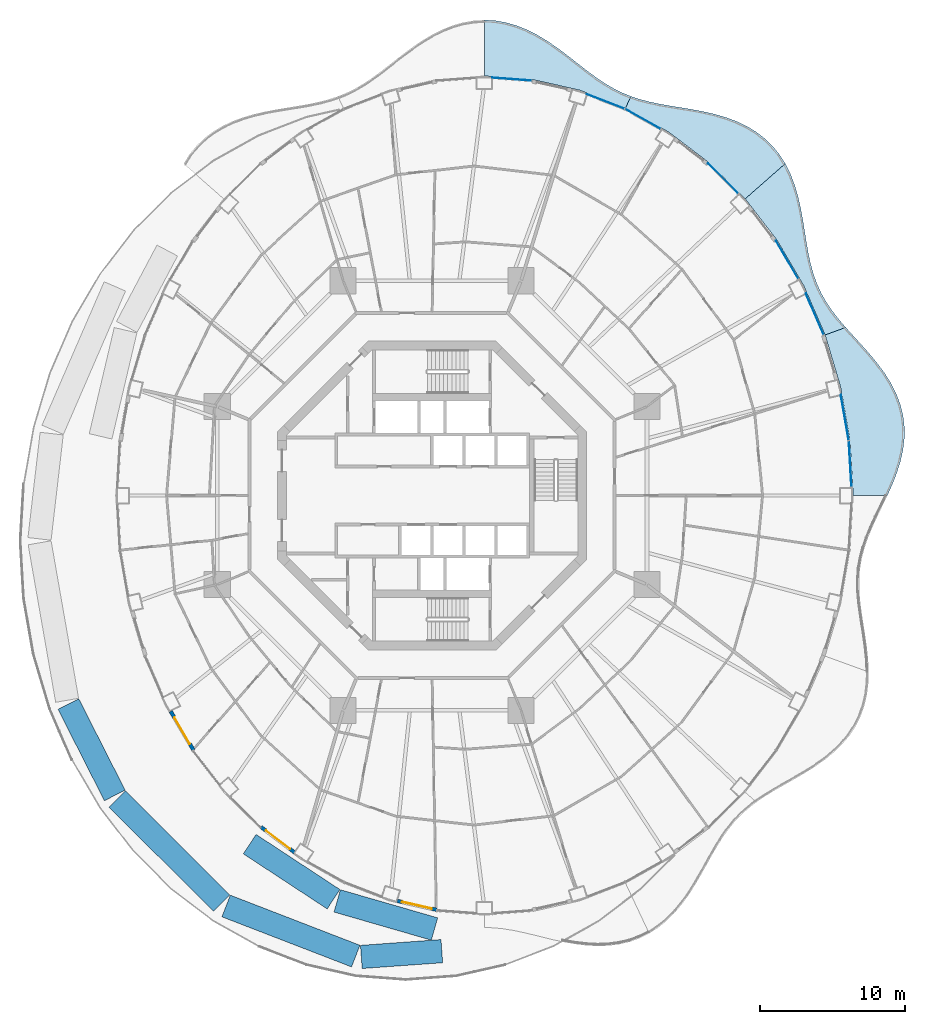
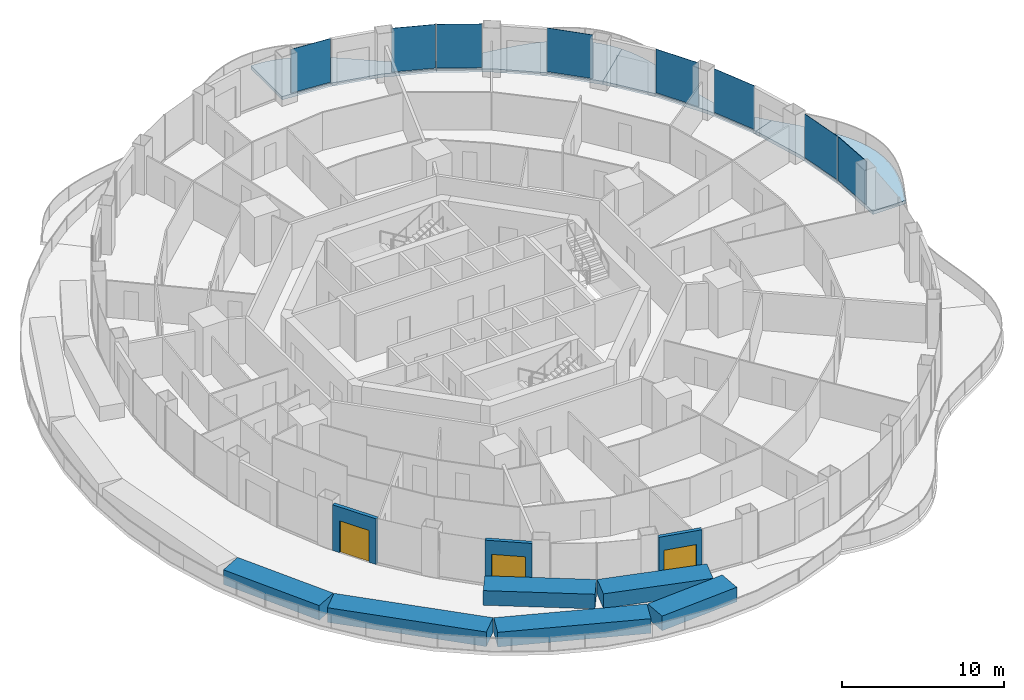
# One storey, part 11 of 20: 9 walls, 8 plates, 4 slabs, 3 doors, 3 openings, 8 elements without a shape of their own.
"""IFC4 building model written with IfcOpenShell, lengths in metres."""

from ifc_helpers import new_model, si_unit, direction, frame, frame_2d, origin, origin_2d, place, context, subcontext, project, spatial, polyline, rectangle, outline, extrude, material, layer, layer_set, type_object, element, fill, aggregate, save


model = new_model("IFC4")

# Units and contexts
model_context = context("Model", 3, precision=1e-05, world=origin(), true_north=direction((0.0, 1.0)))
body_context = subcontext(model_context, "Body", "Model", "MODEL_VIEW")
ifc_project = project(units=[si_unit("LENGTHUNIT", "METRE"), si_unit("AREAUNIT", "SQUARE_METRE"), si_unit("VOLUMEUNIT", "CUBIC_METRE"), si_unit("PLANEANGLEUNIT", "RADIAN"), si_unit("MASSUNIT", "GRAM", prefix="KILO")], contexts=[model_context])

# Site, building, storey
site_placement = place(None, origin())
site = spatial("IfcSite", under=ifc_project, at=site_placement, CompositionType="ELEMENT")
building_placement = place(site_placement, origin())
building = spatial("IfcBuilding", under=site, at=building_placement, Name="Nagisa Residences", CompositionType="ELEMENT")
storey_placement = place(building_placement, frame((0.0, 0.0, 165.89990234375)))
storey = spatial("IfcBuildingStorey", under=building, at=storey_placement, Name="L41", CompositionType="ELEMENT", Elevation=165.89990234375)

# Slabs
ifc_material_1 = material(Name="Concrete C40/50", Category="concrete")
ifc_layer_1 = layer(ifc_material_1, 0.25)
ifc_layer_set_1 = layer_set([ifc_layer_1], Name="BALCONY SLAB 250")
slab_type = type_object("IfcSlabType", Name="BALCONY SLAB 250", PredefinedType="FLOOR", material=ifc_layer_set_1)
slab_1_placement = place(storey_placement, frame((0.0, 0.0, -0.25)))
element("IfcSlab", 1, at=slab_1_placement, inside=storey, type_object=slab_type, Name="slab:L41:bal00", PredefinedType="FLOOR", context=body_context, shape_type="SweptSolid", body=[
    extrude(outline(polyline([(31.324951171875, 0.0), (31.6640625, 0.762451171875), (31.967529296875, 1.53857421875), (32.21728515625, 2.325927734375), (32.397216796875, 3.1201171875), (32.494384765625, 3.916259765625), (32.499755859375, 4.708740234375), (32.408203125, 5.4912109375), (32.219482421875, 6.25830078125), (31.93798828125, 7.0048828125), (31.572265625, 7.7275390625), (31.134765625, 8.423828125), (30.640625, 9.09375), (30.10791015625, 9.738525390625), (29.5546875, 10.36181640625), (29.0, 10.96875), (28.461181640625, 11.566162109375), (27.04345703125, 11.050048828125), (28.1103515625, 7.473388671875), (28.7578125, 3.76904296875), (28.97509765625, 0.0), (31.324951171875, 0.0)])), origin(), (0.0, 0.0, 1.0), 0.25),
])
slab_2_placement = place(storey_placement, frame((0.0, 0.0, -0.25)))
element("IfcSlab", 2, at=slab_2_placement, inside=storey, type_object=slab_type, Name="slab:L41:bal01", PredefinedType="FLOOR", context=body_context, shape_type="SweptSolid", body=[
    extrude(outline(polyline([(28.461181640625, 11.566162109375), (27.96923828125, 12.142822265625), (27.5185546875, 12.72509765625), (27.1171875, 13.31982421875), (26.7705078125, 13.93408203125), (26.478759765625, 14.572998046875), (26.239501953125, 15.24072265625), (26.046142578125, 15.939208984375), (25.888916015625, 16.668212890625), (25.755615234375, 17.425048828125), (25.632568359375, 18.204345703125), (25.504638671875, 18.9990234375), (25.356201171875, 19.800048828125), (25.17333984375, 20.596435546875), (24.94287109375, 21.37646484375), (24.654296875, 22.128173828125), (24.29931640625, 22.840087890625), (21.542724609375, 20.417724609375), (23.7314453125, 17.577880859375), (25.575439453125, 14.4375), (27.04345703125, 11.050048828125), (28.461181640625, 11.566162109375)])), origin(), (0.0, 0.0, 1.0), 0.25),
])
slab_3_placement = place(storey_placement, frame((0.0, 0.0, -0.25)))
element("IfcSlab", 3, at=slab_3_placement, inside=storey, type_object=slab_type, Name="slab:L41:bal02", PredefinedType="FLOOR", context=body_context, shape_type="SweptSolid", body=[
    extrude(outline(polyline([(24.29931640625, 22.840087890625), (23.89501953125, 23.4716796875), (23.425048828125, 24.049560546875), (22.89111328125, 24.568115234375), (22.29736328125, 25.023681640625), (21.650146484375, 25.415283203125), (20.957763671875, 25.74462890625), (20.23046875, 26.015625), (19.478759765625, 26.235595703125), (18.71337890625, 26.413330078125), (17.945068359375, 26.559814453125), (17.18310546875, 26.687255859375), (16.435791015625, 26.808349609375), (15.708984375, 26.935546875), (15.00732421875, 27.08154296875), (14.33251953125, 27.25634765625), (13.683837890625, 27.46923828125), (13.310546875, 26.677001953125), (16.28759765625, 25.006591796875), (19.04736328125, 22.907958984375), (21.542724609375, 20.417724609375), (24.29931640625, 22.840087890625)])), origin(), (0.0, 0.0, 1.0), 0.25),
])
slab_4_placement = place(storey_placement, frame((0.0, 0.0, -0.25)))
element("IfcSlab", 4, at=slab_4_placement, inside=storey, type_object=slab_type, Name="slab:L41:bal03", PredefinedType="FLOOR", context=body_context, shape_type="SweptSolid", body=[
    extrude(outline(polyline([(13.683837890625, 27.46923828125), (13.081787109375, 27.715576171875), (12.498046875, 28.00537109375), (11.927734375, 28.3388671875), (11.365234375, 28.713134765625), (10.803955078125, 29.12255859375), (10.23779296875, 29.559326171875), (9.66064453125, 30.012451171875), (9.0673828125, 30.47021484375), (8.45458984375, 30.919189453125), (7.819580078125, 31.344970703125), (7.161376953125, 31.734130859375), (6.48095703125, 32.0732421875), (5.7802734375, 32.3505859375), (5.063232421875, 32.555908203125), (4.334716796875, 32.682373046875), (3.60009765625, 32.72509765625), (3.60009765625, 28.875), (6.912109375, 28.6279296875), (10.16748046875, 27.89111328125), (13.310546875, 26.677001953125), (13.683837890625, 27.46923828125)])), origin(), (0.0, 0.0, 1.0), 0.25),
])

# Curtain wall, plate
ifc_material_2 = material(Name="Concrete-coloured aluminium curtain wall system", Category="concrete")
ifc_layer_2 = layer(ifc_material_2, 0.159912109375)
ifc_layer_set_2 = layer_set([ifc_layer_2], Name="CW1 CURTAIN WALL")
curtain_wall_type = type_object("IfcCurtainWallType", Name="CW1 CURTAIN WALL", PredefinedType="NOTDEFINED", material=ifc_layer_set_2)
curtain_wall_1_placement = place(storey_placement, origin())
curtain_wall_1 = element("IfcCurtainWall", 5, at=curtain_wall_1_placement, inside=storey, type_object=curtain_wall_type, Name="cw:CW1:L41:00", PredefinedType="NOTDEFINED")
ifc_material_3 = material(Name="Clear laminated glass", Category="glass")
ifc_layer_3 = layer(ifc_material_3, 0.028076171875)
ifc_layer_set_3 = layer_set([ifc_layer_3], Name="CW1 GLASS PANEL")
plate_type = type_object("IfcPlateType", Name="CW1 GLASS PANEL", PredefinedType="CURTAIN_PANEL", material=ifc_layer_set_3)
plate_1_placement = place(storey_placement, frame((28.76904296875, 2.184326171875, 0.150146484375), z_axis=(0.0, 0.0, 1.0), x_axis=(-0.057503492216, 0.998345305184, 0.0)))
plate_1 = element("IfcPlate", 6, at=plate_1_placement, type_object=plate_type, Name="CW1 panel", PredefinedType="CURTAIN_PANEL", context=body_context, shape_type="SweptSolid", body=[
    extrude(rectangle(XDim=3.165283203125, YDim=0.028076171875, at=origin_2d()), origin(), (0.0, 0.0, 1.0), 3.2900390625),
])
aggregate(curtain_wall_1, [plate_1])

curtain_wall_2_placement = place(storey_placement, origin())
curtain_wall_2 = element("IfcCurtainWall", 7, at=curtain_wall_2_placement, inside=storey, type_object=curtain_wall_type, Name="cw:CW1:L41:01", PredefinedType="NOTDEFINED")
plate_2_placement = place(storey_placement, frame((28.3974609375, 5.365966796875, 0.150146484375), z_axis=(0.0, 0.0, 1.0), x_axis=(-0.172190868898, 0.985063604377, 0.0)))
plate_2 = element("IfcPlate", 8, at=plate_2_placement, type_object=plate_type, Name="CW1 panel", PredefinedType="CURTAIN_PANEL", context=body_context, shape_type="SweptSolid", body=[
    extrude(rectangle(XDim=3.150634765625, YDim=0.028076171875, at=origin_2d()), origin(), (0.0, 0.0, 1.0), 3.2900390625),
])
aggregate(curtain_wall_2, [plate_2])

curtain_wall_3_placement = place(storey_placement, origin())
curtain_wall_3 = element("IfcCurtainWall", 9, at=curtain_wall_3_placement, inside=storey, type_object=curtain_wall_type, Name="cw:CW1:L41:03", PredefinedType="NOTDEFINED")
plate_3_placement = place(storey_placement, frame((26.33349609375, 12.487060546875, 0.150146484375), z_axis=(0.0, 0.0, 1.0), x_axis=(-0.397635934147, 0.917543276295, 0.0)))
plate_3 = element("IfcPlate", 10, at=plate_3_placement, type_object=plate_type, Name="CW1 panel", PredefinedType="CURTAIN_PANEL", context=body_context, shape_type="SweptSolid", body=[
    extrude(rectangle(XDim=3.08203125, YDim=0.028076171875, at=origin_2d()), origin(), (0.0, 0.0, 1.0), 3.2900390625),
])
aggregate(curtain_wall_3, [plate_3])

curtain_wall_4_placement = place(storey_placement, origin())
curtain_wall_4 = element("IfcCurtainWall", 11, at=curtain_wall_4_placement, inside=storey, type_object=curtain_wall_type, Name="cw:CW1:L41:04", PredefinedType="NOTDEFINED")
plate_4_placement = place(storey_placement, frame((24.429931640625, 16.230224609375, 0.150146484375), z_axis=(0.0, 0.0, 1.0), x_axis=(-0.506348567002, 0.862328898214, 0.0)))
plate_4 = element("IfcPlate", 12, at=plate_4_placement, type_object=plate_type, Name="CW1 panel", PredefinedType="CURTAIN_PANEL", context=body_context, shape_type="SweptSolid", body=[
    extrude(rectangle(XDim=3.031982421875, YDim=0.028076171875, at=origin_2d()), origin(), (0.0, 0.0, 1.0), 3.2900390625),
])
aggregate(curtain_wall_4, [plate_4])

curtain_wall_5_placement = place(storey_placement, origin())
curtain_wall_5 = element("IfcCurtainWall", 13, at=curtain_wall_5_placement, inside=storey, type_object=curtain_wall_type, Name="cw:CW1:L41:06", PredefinedType="NOTDEFINED")
plate_5_placement = place(storey_placement, frame((20.022705078125, 21.82177734375, 0.150146484375), z_axis=(0.0, 0.0, 1.0), x_axis=(-0.707835924016, 0.706376885714, 0.0)))
plate_5 = element("IfcPlate", 14, at=plate_5_placement, type_object=plate_type, Name="CW1 panel", PredefinedType="CURTAIN_PANEL", context=body_context, shape_type="SweptSolid", body=[
    extrude(rectangle(XDim=2.91552734375, YDim=0.028076171875, at=origin_2d()), origin(), (0.0, 0.0, 1.0), 3.2900390625),
])
aggregate(curtain_wall_5, [plate_5])

curtain_wall_6_placement = place(storey_placement, origin())
curtain_wall_6 = element("IfcCurtainWall", 15, at=curtain_wall_6_placement, inside=storey, type_object=curtain_wall_type, Name="cw:CW1:L41:08", PredefinedType="NOTDEFINED")
plate_6_placement = place(storey_placement, frame((14.493896484375, 25.921142578125, 0.150146484375), z_axis=(0.0, 0.0, 1.0), x_axis=(-0.872072377523, 0.489376918501, 0.0)))
plate_6 = element("IfcPlate", 16, at=plate_6_placement, type_object=plate_type, Name="CW1 panel", PredefinedType="CURTAIN_PANEL", context=body_context, shape_type="SweptSolid", body=[
    extrude(rectangle(XDim=2.8037109375, YDim=0.028076171875, at=origin_2d()), origin(), (0.0, 0.0, 1.0), 3.2900390625),
])
aggregate(curtain_wall_6, [plate_6])

curtain_wall_7_placement = place(storey_placement, origin())
curtain_wall_7 = element("IfcCurtainWall", 17, at=curtain_wall_7_placement, inside=storey, type_object=curtain_wall_type, Name="cw:CW1:L41:09", PredefinedType="NOTDEFINED")
plate_7_placement = place(storey_placement, frame((11.938720703125, 27.12109375, 0.150146484375), z_axis=(0.0, 0.0, 1.0), x_axis=(-0.932825759707, 0.360327770268, 0.0)))
plate_7 = element("IfcPlate", 18, at=plate_7_placement, type_object=plate_type, Name="CW1 panel", PredefinedType="CURTAIN_PANEL", context=body_context, shape_type="SweptSolid", body=[
    extrude(rectangle(XDim=2.75927734375, YDim=0.028076171875, at=origin_2d()), origin(), (0.0, 0.0, 1.0), 3.2900390625),
])
aggregate(curtain_wall_7, [plate_7])

curtain_wall_8_placement = place(storey_placement, origin())
curtain_wall_8 = element("IfcCurtainWall", 19, at=curtain_wall_8_placement, inside=storey, type_object=curtain_wall_type, Name="cw:CW1:L41:11", PredefinedType="NOTDEFINED")
plate_8_placement = place(storey_placement, frame((5.494384765625, 28.653564453125, 0.150146484375), z_axis=(0.0, 0.0, 1.0), x_axis=(-0.997230168512, 0.074377355493, 0.0)))
plate_8 = element("IfcPlate", 20, at=plate_8_placement, type_object=plate_type, Name="CW1 panel", PredefinedType="CURTAIN_PANEL", context=body_context, shape_type="SweptSolid", body=[
    extrude(rectangle(XDim=2.711181640625, YDim=0.028076171875, at=origin_2d()), origin(), (0.0, 0.0, 1.0), 3.2900390625),
])
aggregate(curtain_wall_8, [plate_8])

# Wall, opening, door
ifc_material_4 = material(Name="Precast concrete C40/50", Category="concrete")
ifc_layer_4 = layer(ifc_material_4, 0.25)
ifc_layer_set_4 = layer_set([ifc_layer_4], Name="BALCONY DOOR WALL 250")
wall_type_1 = type_object("IfcWallType", Name="BALCONY DOOR WALL 250", PredefinedType="SOLIDWALL", material=ifc_layer_set_4)
wall_1_placement = place(storey_placement, frame((-16.423583984375, -17.5146484375, 0.0), z_axis=(0.0, 0.0, 1.0), x_axis=(-0.506309086483, 0.862352079458, 0.0)))
wall_1 = element("IfcWall", 21, at=wall_1_placement, inside=storey, type_object=wall_type_1, Name="wall:L41:bay28", PredefinedType="SOLIDWALL", context=body_context, shape_type="SweptSolid", body=[
    extrude(rectangle(XDim=3.091796875, YDim=0.25, at=frame_2d((1.5458984375, 0.0))), origin(), (0.0, 0.0, 1.0), 3.440185546875),
])
opening_1_placement = place(wall_1_placement, frame((0.495849609375, 0.0, 0.0)))
opening_1 = element("IfcOpeningElement", 22, at=opening_1_placement, cuts=wall_1, Name="Opening BD-L41-10", PredefinedType="OPENING", context=body_context, shape_type="SweptSolid", body=[
    extrude(rectangle(XDim=2.10009765625, YDim=2.39990234375, at=frame_2d((1.050048828125, 1.199951171875))), frame((0.0, 0.135009765625, 0.0), z_axis=(0.0, -1.0, 0.0), x_axis=(1.0, 0.0, 0.0)), (0.0, 0.0, 1.0), 0.27001953125),
])
ifc_material_5 = material(Name="Aluminium and clear glass", Category="aluminium")
door_type = type_object("IfcDoorType", Name="BALCONY SLIDING DOOR 2100x2400", OperationType="SLIDING_TO_LEFT", PredefinedType="DOOR", material=ifc_material_5)
door_1_placement = place(opening_1_placement, origin())
door_1 = element("IfcDoor", 23, at=door_1_placement, inside=storey, type_object=door_type, Name="door:L41:bay28", OperationType="SLIDING_TO_LEFT", OverallHeight=2.39990234375, OverallWidth=2.10009765625, PredefinedType="DOOR", context=body_context, shape_type="SweptSolid", body=[
    extrude(rectangle(XDim=2.10009765625, YDim=2.39990234375, at=frame_2d((1.050048828125, 1.199951171875))), frame((0.0, 0.02490234375, 0.0), z_axis=(0.0, -1.0, 0.0), x_axis=(1.0, 0.0, 0.0)), (0.0, 0.0, 1.0), 0.050048828125),
])
fill(opening_1, door_1)

wall_2_placement = place(storey_placement, frame((-9.44970703125, -24.573974609375, 0.0), z_axis=(0.0, 0.0, 1.0), x_axis=(-0.796055733703, 0.60522332146, 0.0)))
wall_2 = element("IfcWall", 24, at=wall_2_placement, inside=storey, type_object=wall_type_1, Name="wall:L41:bay31", PredefinedType="SOLIDWALL", context=body_context, shape_type="SweptSolid", body=[
    extrude(rectangle(XDim=2.9169921875, YDim=0.25, at=frame_2d((1.45849609375, 0.0))), origin(), (0.0, 0.0, 1.0), 3.440185546875),
])
opening_2_placement = place(wall_2_placement, frame((0.408447265625, 0.0, 0.0)))
opening_2 = element("IfcOpeningElement", 25, at=opening_2_placement, cuts=wall_2, Name="Opening BD-L41-11", PredefinedType="OPENING", context=body_context, shape_type="SweptSolid", body=[
    extrude(rectangle(XDim=2.10009765625, YDim=2.39990234375, at=frame_2d((1.050048828125, 1.199951171875))), frame((0.0, 0.135009765625, 0.0), z_axis=(0.0, -1.0, 0.0), x_axis=(1.0, 0.0, 0.0)), (0.0, 0.0, 1.0), 0.27001953125),
])
door_2_placement = place(opening_2_placement, origin())
door_2 = element("IfcDoor", 26, at=door_2_placement, inside=storey, type_object=door_type, Name="door:L41:bay31", OperationType="SLIDING_TO_LEFT", OverallHeight=2.39990234375, OverallWidth=2.10009765625, PredefinedType="DOOR", context=body_context, shape_type="SweptSolid", body=[
    extrude(rectangle(XDim=2.10009765625, YDim=2.39990234375, at=frame_2d((1.050048828125, 1.199951171875))), frame((0.0, 0.02490234375, 0.0), z_axis=(0.0, -1.0, 0.0), x_axis=(1.0, 0.0, 0.0)), (0.0, 0.0, 1.0), 0.050048828125),
])
fill(opening_2, door_2)

wall_3_placement = place(storey_placement, frame((0.3154296875, -28.506103515625, 0.0), z_axis=(0.0, 0.0, 1.0), x_axis=(-0.975324329911, 0.220776926974, 0.0)))
wall_3 = element("IfcWall", 27, at=wall_3_placement, inside=storey, type_object=wall_type_1, Name="wall:L41:bay34", PredefinedType="SOLIDWALL", context=body_context, shape_type="SweptSolid", body=[
    extrude(rectangle(XDim=2.787841796875, YDim=0.25, at=frame_2d((1.39404296875, 0.0))), origin(), (0.0, 0.0, 1.0), 3.440185546875),
])
opening_3_placement = place(wall_3_placement, frame((0.343994140625, 0.0, 0.0)))
opening_3 = element("IfcOpeningElement", 28, at=opening_3_placement, cuts=wall_3, Name="Opening BD-L41-12", PredefinedType="OPENING", context=body_context, shape_type="SweptSolid", body=[
    extrude(rectangle(XDim=2.10009765625, YDim=2.39990234375, at=frame_2d((1.050048828125, 1.199951171875))), frame((0.0, 0.135009765625, 0.0), z_axis=(0.0, -1.0, 0.0), x_axis=(1.0, 0.0, 0.0)), (0.0, 0.0, 1.0), 0.27001953125),
])
door_3_placement = place(opening_3_placement, origin())
door_3 = element("IfcDoor", 29, at=door_3_placement, inside=storey, type_object=door_type, Name="door:L41:bay34", OperationType="SLIDING_TO_LEFT", OverallHeight=2.39990234375, OverallWidth=2.10009765625, PredefinedType="DOOR", context=body_context, shape_type="SweptSolid", body=[
    extrude(rectangle(XDim=2.10009765625, YDim=2.39990234375, at=frame_2d((1.050048828125, 1.199951171875))), frame((0.0, 0.02490234375, 0.0), z_axis=(0.0, -1.0, 0.0), x_axis=(1.0, 0.0, 0.0)), (0.0, 0.0, 1.0), 0.050048828125),
])
fill(opening_3, door_3)

# Walls
ifc_material_6 = material(Name="Precast concrete C30/37", Category="concrete")
ifc_layer_5 = layer(ifc_material_6, 1.60009765625)
ifc_layer_set_5 = layer_set([ifc_layer_5], Name="PLANTER")
wall_type_2 = type_object("IfcWallType", Name="PLANTER", PredefinedType="SOLIDWALL", material=ifc_layer_set_5)
wall_4_placement = place(storey_placement, frame((-21.8388671875, -20.638671875, 0.0), z_axis=(0.0, 0.0, 1.0), x_axis=(-0.452400486723, 0.89181489089, 0.0)))
element("IfcWall", 30, at=wall_4_placement, inside=storey, type_object=wall_type_2, Name="planter:L41:garden004", PredefinedType="SOLIDWALL", context=body_context, shape_type="SweptSolid", body=[
    extrude(rectangle(XDim=7.050048828125, YDim=1.60009765625, at=frame_2d((3.52490234375, 0.0))), origin(), (0.0, 0.0, 1.0), 1.10009765625),
])
wall_5_placement = place(storey_placement, frame((-14.486083984375, -28.04443359375, 0.0), z_axis=(0.0, 0.0, 1.0), x_axis=(-0.707695981418, 0.706517089591, 0.0)))
element("IfcWall", 31, at=wall_5_placement, inside=storey, type_object=wall_type_2, Name="planter:L41:garden007", PredefinedType="SOLIDWALL", context=body_context, shape_type="SweptSolid", body=[
    extrude(rectangle(XDim=10.1474609375, YDim=1.60009765625, at=frame_2d((5.07373046875, 0.0))), origin(), (0.0, 0.0, 1.0), 1.10009765625),
])
wall_6_placement = place(storey_placement, frame((-12.552978515625, -23.989013671875, 0.0), z_axis=(0.0, 0.0, 1.0), x_axis=(0.835812595664, -0.549014849462, 0.0)))
element("IfcWall", 32, at=wall_6_placement, inside=storey, type_object=wall_type_2, Name="planter:L41:garden008", PredefinedType="SOLIDWALL", context=body_context, shape_type="SweptSolid", body=[
    extrude(rectangle(XDim=6.90283203125, YDim=1.60009765625, at=frame_2d((3.451416015625, 0.0))), origin(), (0.0, 0.0, 1.0), 1.10009765625),
])
wall_7_placement = place(storey_placement, frame((-6.530517578125, -27.895263671875, 0.0), z_axis=(0.0, 0.0, 1.0), x_axis=(0.96072394004, -0.277505875674, 0.0)))
element("IfcWall", 33, at=wall_7_placement, inside=storey, type_object=wall_type_2, Name="planter:L41:garden009", PredefinedType="SOLIDWALL", context=body_context, shape_type="SweptSolid", body=[
    extrude(rectangle(XDim=6.9677734375, YDim=1.60009765625, at=frame_2d((3.48388671875, 0.0))), origin(), (0.0, 0.0, 1.0), 1.10009765625),
])
wall_8_placement = place(storey_placement, frame((-5.256103515625, -31.693359375, 0.0), z_axis=(0.0, 0.0, 1.0), x_axis=(-0.932763411203, 0.360489138146, 0.0)))
element("IfcWall", 34, at=wall_8_placement, inside=storey, type_object=wall_type_2, Name="planter:L41:garden010", PredefinedType="SOLIDWALL", context=body_context, shape_type="SweptSolid", body=[
    extrude(rectangle(XDim=9.5634765625, YDim=1.60009765625, at=frame_2d((4.78173828125, 0.0))), origin(), (0.0, 0.0, 1.0), 1.10009765625),
])
wall_9_placement = place(storey_placement, frame((0.66943359375, -31.354248046875, 0.0), z_axis=(0.0, 0.0, 1.0), x_axis=(-0.997447087108, -0.07140944209, 0.0)))
element("IfcWall", 35, at=wall_9_placement, inside=storey, type_object=wall_type_2, Name="planter:L41:garden011", PredefinedType="SOLIDWALL", context=body_context, shape_type="SweptSolid", body=[
    extrude(rectangle(XDim=5.5556640625, YDim=1.60009765625, at=frame_2d((2.77783203125, 0.0))), origin(), (0.0, 0.0, 1.0), 1.10009765625),
])

save(model, "model.ifc")
